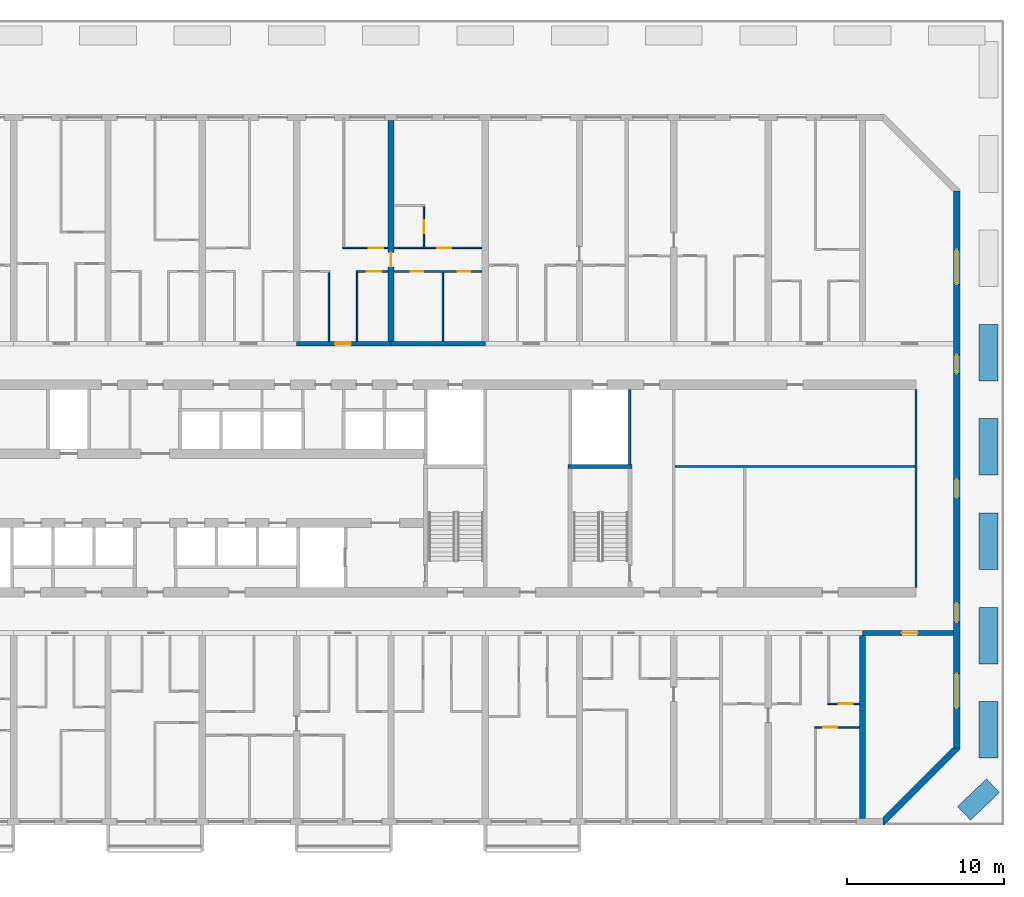
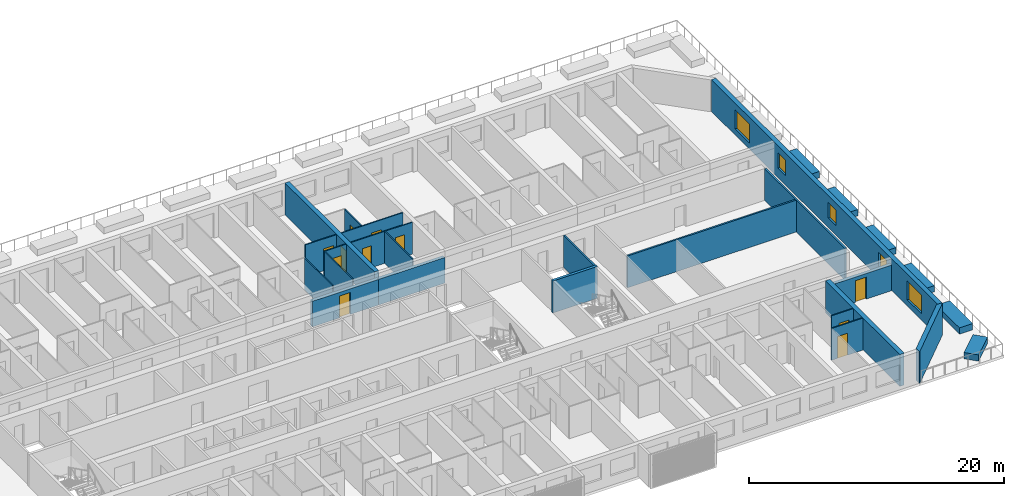
# One storey, part 17 of 23: 27 walls, 11 doors, 5 windows, 16 openings.
"""IFC4 building model written with IfcOpenShell, lengths in metres."""

import ifcopenshell
import ifcopenshell.guid

model = None  # the IFC model being written
_history = None  # IfcOwnerHistory: only IFC2X3 demands one
_inside = {}  # id of a spatial element -> (the spatial element, [elements in it])
_under = {}  # id of a project, library or spatial element -> (it, [spatial elements below it])
_declared = {}  # id of a project -> (the project, [libraries it declares])
_typed = {}  # id of a type object -> (the type object, [elements of that type])
_made_of = {}  # id of a material, layer set ... -> (it, [elements and type objects made of it])


def new_model(schema):
    """Start an empty IFC model of exactly this schema.

    Asked for "IFC4X3", IfcOpenShell would pick the latest addendum, in which some entities
    have other attributes; the version numbers below select the first issue.
    IFC2X3 requires an IfcOwnerHistory on every rooted entity: one is made here for all.
    """
    global model, _history
    if schema == "IFC4X3":
        model = ifcopenshell.file(schema_version=(4, 3, 0, 0))
    else:
        model = ifcopenshell.file(schema=schema)
    _inside.clear()
    _under.clear()
    _declared.clear()
    _typed.clear()
    _made_of.clear()
    _history = None
    if model.schema == "IFC2X3":
        org = make("IfcOrganization", Name="unknown")
        user = make(
            "IfcPersonAndOrganization",
            ThePerson=make("IfcPerson", FamilyName="unknown"),
            TheOrganization=org,
        )
        app = make(
            "IfcApplication",
            ApplicationDeveloper=org,
            Version="unknown",
            ApplicationFullName="unknown",
            ApplicationIdentifier="unknown",
        )
        _history = make(
            "IfcOwnerHistory",
            OwningUser=user,
            OwningApplication=app,
            ChangeAction="ADDED",
            CreationDate=0,
        )
    return model


def make(cls, **values):
    """One entity of the class cls with the attributes given. An attribute that is None is left unset."""
    return model.create_entity(
        cls, **{name: value for name, value in values.items() if value is not None}
    )


def rooted(cls, **values):
    """An entity with a GlobalId (a new one), such as an element, a storey or a relation."""
    return make(cls, GlobalId=ifcopenshell.guid.new(), OwnerHistory=_history, **values)


def si_unit(unit_type, name, prefix=None):
    """IfcSIUnit, for example si_unit("LENGTHUNIT", "METRE", prefix="MILLI")."""
    return make("IfcSIUnit", UnitType=unit_type, Prefix=prefix, Name=name)


def assignment(units):
    """IfcUnitAssignment: the units of a project."""
    return None if units is None else make("IfcUnitAssignment", Units=units)


def point(xyz):
    """IfcCartesianPoint."""
    return None if xyz is None else make("IfcCartesianPoint", Coordinates=xyz)


def direction(xyz):
    """IfcDirection."""
    return None if xyz is None else make("IfcDirection", DirectionRatios=xyz)


def frame(location, z_axis=None, x_axis=None):
    """IfcAxis2Placement3D, a coordinate frame: its origin and axes. An axis left out is left unset."""
    return make(
        "IfcAxis2Placement3D",
        Location=point(location),
        Axis=direction(z_axis),
        RefDirection=direction(x_axis),
    )


def frame_2d(location, x_axis=None):
    """IfcAxis2Placement2D, a coordinate frame in the plane: its origin and x axis."""
    return make(
        "IfcAxis2Placement2D", Location=point(location), RefDirection=direction(x_axis)
    )


def origin():
    """The frame at (0, 0, 0) with its axes left unset."""
    return frame((0.0, 0.0, 0.0))


def place(relative_to, where):
    """IfcLocalPlacement: puts the frame where relative to a parent placement (None: the world)."""
    return make(
        "IfcLocalPlacement", PlacementRelTo=relative_to, RelativePlacement=where
    )


def context(
    kind, dimensions, precision=None, world=None, true_north=None, identifier=None
):
    """IfcGeometricRepresentationContext, for example the 3D "Model" context."""
    return make(
        "IfcGeometricRepresentationContext",
        ContextIdentifier=identifier,
        ContextType=kind,
        CoordinateSpaceDimension=dimensions,
        Precision=precision,
        WorldCoordinateSystem=world,
        TrueNorth=true_north,
    )


def subcontext(parent, identifier, kind, view, scale=None):
    """IfcGeometricRepresentationSubContext, for example "Body" below "Model"."""
    return make(
        "IfcGeometricRepresentationSubContext",
        ContextIdentifier=identifier,
        ContextType=kind,
        ParentContext=parent,
        TargetScale=scale,
        TargetView=view,
    )


def project(units=None, contexts=None):
    """IfcProject with its units and contexts."""
    return rooted(
        "IfcProject",
        Name="project",
        RepresentationContexts=contexts,
        UnitsInContext=assignment(units),
    )


def spatial(cls, under=None, at=None, **own):
    """A site, building, storey or space (cls), placed at a placement, below another one or the project."""
    s = rooted(cls, ObjectPlacement=at, **own)
    if under is not None:
        _under.setdefault(under.id(), (under, []))[1].append(s)
    return s


def polyline(points):
    """IfcPolyline through the points."""
    return make("IfcPolyline", Points=[point(p) for p in points])


def profile(cls, at=None, kind="AREA", **sizes):
    """A parametric profile (cls). Its sizes go by their IFC names, for example OverallWidth=200.0."""
    return make(cls, ProfileType=kind, Position=at, **sizes)


def rectangle(**sizes):
    """IfcRectangleProfileDef."""
    return profile("IfcRectangleProfileDef", **sizes)


def outline(outer, holes=None, kind="AREA"):
    """IfcArbitraryClosedProfileDef: a profile drawn as a closed curve; with holes, ...WithVoids."""
    if holes is None:
        return make("IfcArbitraryClosedProfileDef", ProfileType=kind, OuterCurve=outer)
    return make(
        "IfcArbitraryProfileDefWithVoids",
        ProfileType=kind,
        OuterCurve=outer,
        InnerCurves=holes,
    )


def extrude(swept, where, along, depth):
    """IfcExtrudedAreaSolid: the profile swept, set in the frame where, extruded along a direction by depth."""
    return make(
        "IfcExtrudedAreaSolid",
        SweptArea=swept,
        Position=where,
        ExtrudedDirection=direction(along),
        Depth=depth,
    )


def shape(context_of_items, identifier, shape_type, items):
    """IfcShapeRepresentation: the items that make up one representation, for example the "Body"."""
    return make(
        "IfcShapeRepresentation",
        ContextOfItems=context_of_items,
        RepresentationIdentifier=identifier,
        RepresentationType=shape_type,
        Items=items,
    )


def source(mapping_origin, context_of_items, identifier, shape_type, items):
    """IfcRepresentationMap: a shape defined once, which mapped items show again and again."""
    return make(
        "IfcRepresentationMap",
        MappingOrigin=mapping_origin,
        MappedRepresentation=shape(context_of_items, identifier, shape_type, items),
    )


def transform(
    local_origin,
    x_axis=None,
    y_axis=None,
    z_axis=None,
    scale=None,
    scale2=None,
    scale3=None,
    uniform=True,
):
    """IfcCartesianTransformationOperator3D, or its non-uniform kind. x_axis, y_axis, z_axis: its Axis1, 2, 3."""
    if uniform:
        return make(
            "IfcCartesianTransformationOperator3D",
            Axis1=direction(x_axis),
            Axis2=direction(y_axis),
            LocalOrigin=point(local_origin),
            Scale=scale,
            Axis3=direction(z_axis),
        )
    return make(
        "IfcCartesianTransformationOperator3DnonUniform",
        Axis1=direction(x_axis),
        Axis2=direction(y_axis),
        LocalOrigin=point(local_origin),
        Scale=scale,
        Axis3=direction(z_axis),
        Scale2=scale2,
        Scale3=scale3,
    )


def mapped(mapping_source, mapping_target):
    """IfcMappedItem: shows the shape of a source again, moved by a transform."""
    return make(
        "IfcMappedItem", MappingSource=mapping_source, MappingTarget=mapping_target
    )


def material(Name=None, Category=None):
    """IfcMaterial."""
    return make("IfcMaterial", Name=Name, Category=Category)


def layer(
    of_material, thickness, ventilated=None, Name=None, Category=None, Priority=None
):
    """IfcMaterialLayer: one layer of a wall or slab, of a material (None: an air gap)."""
    return make(
        "IfcMaterialLayer",
        Material=of_material,
        LayerThickness=thickness,
        IsVentilated=ventilated,
        Name=Name,
        Category=Category,
        Priority=Priority,
    )


def layer_set(layers, Name=None):
    """IfcMaterialLayerSet."""
    return make("IfcMaterialLayerSet", MaterialLayers=layers, LayerSetName=Name)


def made_of(thing, what):
    """Note that an element or type object is made of a material, layer set ...; save() writes the relation."""
    if what is not None:
        _made_of.setdefault(what.id(), (what, []))[1].append(thing)
    return thing


def type_object(cls, material=None, **own):
    """A type object (cls), such as IfcWallType, which elements share."""
    return made_of(rooted(cls, **own), material)


def element(
    cls,
    number,
    at=None,
    inside=None,
    cuts=None,
    type_object=None,
    material=None,
    context=None,
    identifier="Body",
    shape_type=None,
    held_by="IfcProductDefinitionShape",
    body=None,
    shapes=None,
    **own,
):
    """One element of the class cls, such as IfcWall. Its Tag is "e" and its number.

    at: its placement. inside: the storey or other place that contains it. cuts: it is an
    opening in that element (IfcRelVoidsElement). A single representation is given by context,
    identifier, shape_type and body (its items); several are given by shapes. held_by: the class
    of the entity that holds the representations. save() writes the other relations.
    """
    e = rooted(cls, Tag="e%d" % number, ObjectPlacement=at, **own)
    if body is not None:
        shapes = [shape(context, identifier, shape_type, body)]
    if shapes is not None:
        e.Representation = make(held_by, Representations=shapes)
    if inside is not None:
        _inside.setdefault(inside.id(), (inside, []))[1].append(e)
    if cuts is not None:
        rooted(
            "IfcRelVoidsElement", RelatingBuildingElement=cuts, RelatedOpeningElement=e
        )
    if type_object is not None:
        _typed.setdefault(type_object.id(), (type_object, []))[1].append(e)
    return made_of(e, material)


def fill(opening, filler):
    """IfcRelFillsElement: the door or window that sits in an opening."""
    return rooted(
        "IfcRelFillsElement",
        RelatingOpeningElement=opening,
        RelatedBuildingElement=filler,
    )


def aggregate(whole, parts):
    """IfcRelAggregates: a whole, such as a stair, and the parts it consists of."""
    return rooted("IfcRelAggregates", RelatingObject=whole, RelatedObjects=parts)


def save(model, path):
    """Write the relations noted so far, then the file.

    IfcRelAggregates (storeys below a building ...), IfcRelContainedInSpatialStructure (elements
    in a storey), IfcRelDefinesByType, IfcRelAssociatesMaterial and IfcRelDeclares: one each for
    every whole, place, type object, material and project.
    """
    for whole, parts in _under.values():
        aggregate(whole, parts)
    for where, things in _inside.values():
        rooted(
            "IfcRelContainedInSpatialStructure",
            RelatedElements=things,
            RelatingStructure=where,
        )
    for kind, things in _typed.values():
        rooted("IfcRelDefinesByType", RelatedObjects=things, RelatingType=kind)
    for what, things in _made_of.values():
        rooted("IfcRelAssociatesMaterial", RelatedObjects=things, RelatingMaterial=what)
    for by, libraries in _declared.values():
        rooted("IfcRelDeclares", RelatingContext=by, RelatedDefinitions=libraries)
    model.write(path)


model = new_model("IFC4")

# Units and contexts
model_context = context("Model", 3, precision=1e-05, world=origin(), true_north=direction((0.0, 1.0)))
body_context = subcontext(model_context, "Body", "Model", "MODEL_VIEW")
ifc_project = project(units=[si_unit("LENGTHUNIT", "METRE"), si_unit("AREAUNIT", "SQUARE_METRE"), si_unit("VOLUMEUNIT", "CUBIC_METRE"), si_unit("PLANEANGLEUNIT", "RADIAN"), si_unit("MASSUNIT", "GRAM", prefix="KILO")], contexts=[model_context])

# Site, building, storey
site_placement = place(None, origin())
site = spatial("IfcSite", under=ifc_project, at=site_placement, CompositionType="ELEMENT")
building_placement = place(site_placement, origin())
building = spatial("IfcBuilding", under=site, at=building_placement, Name="Poui Terraces", CompositionType="ELEMENT")
storey_placement = place(building_placement, frame((0.0, 0.0, 23.39990234375)))
storey = spatial("IfcBuildingStorey", under=building, at=storey_placement, Name="L05", CompositionType="ELEMENT", Elevation=23.39990234375)

# Wall
ifc_material_1 = material(Name="Fire-rated plasterboard wall")
ifc_layer_1 = layer(ifc_material_1, 0.14990234375)
ifc_layer_set_1 = layer_set([ifc_layer_1], Name="Fire-rated plasterboard wall")
wall_type_1 = type_object("IfcWallType", Name="CORRIDOR WALL 150", PredefinedType="PARTITIONING", material=ifc_layer_set_1)
wall_1_placement = place(storey_placement, frame((99.39990234375, 14.909912109375, 0.0), z_axis=(0.0, 0.0, 1.0), x_axis=(0.0, 1.0, 0.0)))
element("IfcWall", 1, at=wall_1_placement, inside=storey, type_object=wall_type_1, Name="CORRIDOR WALL 150", PredefinedType="PARTITIONING", context=body_context, shape_type="SweptSolid", body=[
    extrude(rectangle(XDim=12.580078125, YDim=0.14990234375, at=frame_2d((6.2900390625, 0.0))), origin(), (0.0, 0.0, 1.0), 3.050048828125),
])

# Wall, opening, door
ifc_material_2 = material(Name="Concrete 80 MPa", Category="concrete")
ifc_layer_2 = layer(ifc_material_2, 0.300048828125)
ifc_layer_set_2 = layer_set([ifc_layer_2], Name="Concrete 80 MPa")
wall_type_2 = type_object("IfcWallType", Name="CORRIDOR WALL 300 80MPa", PredefinedType="SHEAR", material=ifc_layer_set_2)
wall_2_placement = place(storey_placement, frame((96.0, 12.0, 0.0), z_axis=(0.0, 0.0, 1.0), x_axis=(1.0, 0.0, 0.0)))
wall_2 = element("IfcWall", 2, at=wall_2_placement, inside=storey, type_object=wall_type_2, Name="CORRIDOR WALL LINE B BAY 17", PredefinedType="SHEAR", context=body_context, shape_type="SweptSolid", body=[
    extrude(rectangle(XDim=5.800048828125, YDim=0.300048828125, at=frame_2d((2.89990234375, 0.0))), origin(), (0.0, 0.0, 1.0), 2.4501953125),
])
opening_1_placement = place(wall_2_placement, frame((2.5, 0.0, 0.0)))
opening_1 = element("IfcOpeningElement", 3, at=opening_1_placement, cuts=wall_2, Name="Opening D100", PredefinedType="OPENING", context=body_context, shape_type="SweptSolid", body=[
    extrude(rectangle(XDim=1.0, YDim=2.10009765625, at=frame_2d((0.5, 1.050048828125))), frame((0.0, 0.16015625, 0.0), z_axis=(0.0, -1.0, 0.0), x_axis=(1.0, 0.0, 0.0)), (0.0, 0.0, 1.0), 0.320068359375),
])
ifc_material_3 = material(Name="Solid core timber door", Category="wood")
door_type_1 = type_object("IfcDoorType", Name="ACCESSIBLE INTERNAL DOOR 1000 X 2100", OperationType="NOTDEFINED", PredefinedType="DOOR", material=ifc_material_3)
door_1_placement = place(opening_1_placement, frame((1.0, 0.0, 0.0), z_axis=(0.0, 0.0, 1.0), x_axis=(-1.0, 0.0, 0.0)))
door_1 = element("IfcDoor", 4, at=door_1_placement, inside=storey, type_object=door_type_1, Name="ACCESSIBLE INTERNAL DOOR 151", OperationType="SINGLE_SWING_RIGHT", OverallHeight=2.10009765625, OverallWidth=1.0, PredefinedType="DOOR", context=body_context, shape_type="SweptSolid", body=[
    extrude(rectangle(XDim=1.0, YDim=2.10009765625, at=frame_2d((0.5, 1.050048828125))), frame((0.0, 0.02490234375, 0.0), z_axis=(0.0, -1.0, 0.0), x_axis=(1.0, 0.0, 0.0)), (0.0, 0.0, 1.0), 0.050048828125),
])
fill(opening_1, door_1)

wall_3_placement = place(storey_placement, frame((60.0, 30.39990234375, 0.0), z_axis=(0.0, 0.0, 1.0), x_axis=(1.0, 0.0, 0.0)))
wall_3 = element("IfcWall", 5, at=wall_3_placement, inside=storey, type_object=wall_type_2, Name="CORRIDOR WALL LINE E BAY 11", PredefinedType="SHEAR", context=body_context, shape_type="SweptSolid", body=[
    extrude(rectangle(XDim=6.0, YDim=0.300048828125, at=frame_2d((3.0, 0.0))), origin(), (0.0, 0.0, 1.0), 2.4501953125),
])
opening_2_placement = place(wall_3_placement, frame((2.449951171875, 0.0, 0.0)))
opening_2 = element("IfcOpeningElement", 6, at=opening_2_placement, cuts=wall_3, Name="Opening FD30S", PredefinedType="OPENING", context=body_context, shape_type="SweptSolid", body=[
    extrude(rectangle(XDim=1.0, YDim=2.10009765625, at=frame_2d((0.5, 1.050048828125))), frame((0.0, 0.16015625, 0.0), z_axis=(0.0, -1.0, 0.0), x_axis=(1.0, 0.0, 0.0)), (0.0, 0.0, 1.0), 0.320068359375),
])
ifc_material_4 = material(Name="Steel fire door", Category="steel")
door_type_2 = type_object("IfcDoorType", Name="FLAT ENTRANCE DOOR 1000 X 2100", OperationType="NOTDEFINED", PredefinedType="DOOR", material=ifc_material_4)
door_2_placement = place(opening_2_placement, origin())
door_2 = element("IfcDoor", 7, at=door_2_placement, inside=storey, type_object=door_type_2, Name="FLAT ENTRANCE DOOR 072", OperationType="SINGLE_SWING_LEFT", OverallHeight=2.10009765625, OverallWidth=1.0, PredefinedType="DOOR", context=body_context, shape_type="SweptSolid", body=[
    extrude(rectangle(XDim=1.0, YDim=2.10009765625, at=frame_2d((0.5, 1.050048828125))), frame((0.0, 0.02490234375, 0.0), z_axis=(0.0, -1.0, 0.0), x_axis=(1.0, 0.0, 0.0)), (0.0, 0.0, 1.0), 0.050048828125),
])
fill(opening_2, door_2)

# Wall
wall_4_placement = place(storey_placement, frame((66.0, 30.39990234375, 0.0), z_axis=(0.0, 0.0, 1.0), x_axis=(1.0, 0.0, 0.0)))
element("IfcWall", 8, at=wall_4_placement, inside=storey, type_object=wall_type_2, Name="CORRIDOR WALL LINE E BAY 12", PredefinedType="SHEAR", context=body_context, shape_type="SweptSolid", body=[
    extrude(rectangle(XDim=6.0, YDim=0.300048828125, at=frame_2d((3.0, 0.0))), origin(), (0.0, 0.0, 1.0), 2.4501953125),
])

# Wall, opening, door
ifc_layer_3 = layer(ifc_material_2, 0.39990234375)
ifc_layer_set_3 = layer_set([ifc_layer_3], Name="Concrete 80 MPa")
wall_type_3 = type_object("IfcWallType", Name="CROSS WALL 400 80MPa", PredefinedType="SHEAR", material=ifc_layer_set_3)
wall_5_placement = place(storey_placement, frame((66.0, 30.550048828125, 0.0), z_axis=(0.0, 0.0, 1.0), x_axis=(0.0, 1.0, 0.0)))
wall_5 = element("IfcWall", 9, at=wall_5_placement, inside=storey, type_object=wall_type_3, Name="CROSS WALL LINE 12 NORTH", PredefinedType="SHEAR", context=body_context, shape_type="SweptSolid", body=[
    extrude(rectangle(XDim=14.050048828125, YDim=0.39990234375, at=frame_2d((7.02490234375, 0.0))), origin(), (0.0, 0.0, 1.0), 3.050048828125),
])
opening_3_placement = place(wall_5_placement, frame((4.75, 0.0, 0.0)))
opening_3 = element("IfcOpeningElement", 10, at=opening_3_placement, cuts=wall_5, Name="Opening D90", PredefinedType="OPENING", context=body_context, shape_type="SweptSolid", body=[
    extrude(rectangle(XDim=0.89990234375, YDim=2.10009765625, at=frame_2d((0.449951171875, 1.050048828125))), frame((0.0, 0.2099609375, 0.0), z_axis=(0.0, -1.0, 0.0), x_axis=(1.0, 0.0, 0.0)), (0.0, 0.0, 1.0), 0.419921875),
])
door_type_3 = type_object("IfcDoorType", Name="INTERNAL DOOR 900 X 2100", OperationType="NOTDEFINED", PredefinedType="DOOR", material=ifc_material_3)
door_3_placement = place(opening_3_placement, origin())
door_3 = element("IfcDoor", 11, at=door_3_placement, inside=storey, type_object=door_type_3, Name="INTERNAL DOOR 075", OperationType="SINGLE_SWING_LEFT", OverallHeight=2.10009765625, OverallWidth=0.89990234375, PredefinedType="DOOR", context=body_context, shape_type="SweptSolid", body=[
    extrude(rectangle(XDim=0.89990234375, YDim=2.10009765625, at=frame_2d((0.449951171875, 1.050048828125))), frame((0.0, 0.02490234375, 0.0), z_axis=(0.0, -1.0, 0.0), x_axis=(1.0, 0.0, 0.0)), (0.0, 0.0, 1.0), 0.050048828125),
])
fill(opening_3, door_3)

# Wall
wall_6_placement = place(storey_placement, frame((96.0, 0.199951171875, 0.0), z_axis=(0.0, 0.0, 1.0), x_axis=(0.0, 1.0, 0.0)))
element("IfcWall", 12, at=wall_6_placement, inside=storey, type_object=wall_type_3, Name="CROSS WALL LINE 17 SOUTH", PredefinedType="SHEAR", context=body_context, shape_type="SweptSolid", body=[
    extrude(rectangle(XDim=11.650146484375, YDim=0.39990234375, at=frame_2d((5.8251953125, 0.0))), origin(), (0.0, 0.0, 1.0), 3.050048828125),
])

# Wall, openings, windows
ifc_layer_4 = layer(ifc_material_2, 0.39990234375)
ifc_layer_set_4 = layer_set([ifc_layer_4], Name="Concrete 80 MPa")
wall_type_4 = type_object("IfcWallType", Name="END WALL 400 80MPa", PredefinedType="SHEAR", material=ifc_layer_set_4)
wall_7_placement = place(storey_placement, frame((102.0, 4.682861328125, 0.0), z_axis=(0.0, 0.0, 1.0), x_axis=(0.0, 1.0, 0.0)))
wall_7 = element("IfcWall", 13, at=wall_7_placement, inside=storey, type_object=wall_type_4, Name="END WALL EAST", PredefinedType="SHEAR", context=body_context, shape_type="SweptSolid", body=[
    extrude(rectangle(XDim=35.434326171875, YDim=0.39990234375, at=frame_2d((17.71728515625, 0.0))), origin(), (0.0, 0.0, 1.0), 3.050048828125),
])
opening_4_placement = place(wall_7_placement, frame((15.917236328125, 0.0, 0.89990234375)))
opening_4 = element("IfcOpeningElement", 14, at=opening_4_placement, cuts=wall_7, Name="Opening W2", PredefinedType="OPENING", context=body_context, shape_type="SweptSolid", body=[
    extrude(rectangle(XDim=1.199951171875, YDim=1.5, at=frame_2d((0.60009765625, 0.75))), frame((0.0, 0.2099609375, 0.0), z_axis=(0.0, -1.0, 0.0), x_axis=(1.0, 0.0, 0.0)), (0.0, 0.0, 1.0), 0.419921875),
])
opening_5_placement = place(wall_7_placement, frame((23.817138671875, 0.0, 0.89990234375)))
opening_5 = element("IfcOpeningElement", 15, at=opening_5_placement, cuts=wall_7, Name="Opening W2", PredefinedType="OPENING", context=body_context, shape_type="SweptSolid", body=[
    extrude(rectangle(XDim=1.199951171875, YDim=1.5, at=frame_2d((0.60009765625, 0.75))), frame((0.0, 0.2099609375, 0.0), z_axis=(0.0, -1.0, 0.0), x_axis=(1.0, 0.0, 0.0)), (0.0, 0.0, 1.0), 0.419921875),
])
opening_6_placement = place(wall_7_placement, frame((8.01708984375, 0.0, 0.89990234375)))
opening_6 = element("IfcOpeningElement", 16, at=opening_6_placement, cuts=wall_7, Name="Opening W2", PredefinedType="OPENING", context=body_context, shape_type="SweptSolid", body=[
    extrude(rectangle(XDim=1.199951171875, YDim=1.5, at=frame_2d((0.60009765625, 0.75))), frame((0.0, 0.2099609375, 0.0), z_axis=(0.0, -1.0, 0.0), x_axis=(1.0, 0.0, 0.0)), (0.0, 0.0, 1.0), 0.419921875),
])
opening_7_placement = place(wall_7_placement, frame((29.493408203125, 0.0, 0.60009765625)))
opening_7 = element("IfcOpeningElement", 17, at=opening_7_placement, cuts=wall_7, Name="Opening W3", PredefinedType="OPENING", context=body_context, shape_type="SweptSolid", body=[
    extrude(rectangle(XDim=2.199951171875, YDim=1.800048828125, at=frame_2d((1.10009765625, 0.89990234375))), frame((0.0, 0.2099609375, 0.0), z_axis=(0.0, -1.0, 0.0), x_axis=(1.0, 0.0, 0.0)), (0.0, 0.0, 1.0), 0.419921875),
])
opening_8_placement = place(wall_7_placement, frame((2.541015625, 0.0, 0.60009765625)))
opening_8 = element("IfcOpeningElement", 18, at=opening_8_placement, cuts=wall_7, Name="Opening W3", PredefinedType="OPENING", context=body_context, shape_type="SweptSolid", body=[
    extrude(rectangle(XDim=2.199951171875, YDim=1.800048828125, at=frame_2d((1.10009765625, 0.89990234375))), frame((0.0, 0.2099609375, 0.0), z_axis=(0.0, -1.0, 0.0), x_axis=(1.0, 0.0, 0.0)), (0.0, 0.0, 1.0), 0.419921875),
])
ifc_material_5 = material(Name="Clear glass in aluminium frame", Category="aluminium")
window_type_1 = type_object("IfcWindowType", Name="WINDOW 1200X1500", PartitioningType="SINGLE_PANEL", PredefinedType="WINDOW", material=ifc_material_5)
window_1_placement = place(opening_4_placement, origin())
window_1 = element("IfcWindow", 19, at=window_1_placement, inside=storey, type_object=window_type_1, Name="W2 WINDOW", OverallHeight=1.5, OverallWidth=1.199951171875, PartitioningType="SINGLE_PANEL", PredefinedType="WINDOW", context=body_context, shape_type="SweptSolid", body=[
    extrude(rectangle(XDim=1.199951171875, YDim=1.5, at=frame_2d((0.60009765625, 0.75))), frame((0.0, 0.030029296875, 0.0), z_axis=(0.0, -1.0, 0.0), x_axis=(1.0, 0.0, 0.0)), (0.0, 0.0, 1.0), 0.06005859375),
])
fill(opening_4, window_1)
window_2_placement = place(opening_5_placement, origin())
window_2 = element("IfcWindow", 20, at=window_2_placement, inside=storey, type_object=window_type_1, Name="W2 WINDOW", OverallHeight=1.5, OverallWidth=1.199951171875, PartitioningType="SINGLE_PANEL", PredefinedType="WINDOW", context=body_context, shape_type="SweptSolid", body=[
    extrude(rectangle(XDim=1.199951171875, YDim=1.5, at=frame_2d((0.60009765625, 0.75))), frame((0.0, 0.030029296875, 0.0), z_axis=(0.0, -1.0, 0.0), x_axis=(1.0, 0.0, 0.0)), (0.0, 0.0, 1.0), 0.06005859375),
])
fill(opening_5, window_2)
window_3_placement = place(opening_6_placement, origin())
window_3 = element("IfcWindow", 21, at=window_3_placement, inside=storey, type_object=window_type_1, Name="W2 WINDOW", OverallHeight=1.5, OverallWidth=1.199951171875, PartitioningType="SINGLE_PANEL", PredefinedType="WINDOW", context=body_context, shape_type="SweptSolid", body=[
    extrude(rectangle(XDim=1.199951171875, YDim=1.5, at=frame_2d((0.60009765625, 0.75))), frame((0.0, 0.030029296875, 0.0), z_axis=(0.0, -1.0, 0.0), x_axis=(1.0, 0.0, 0.0)), (0.0, 0.0, 1.0), 0.06005859375),
])
fill(opening_6, window_3)
window_type_2 = type_object("IfcWindowType", Name="WINDOW 2200X1800", PartitioningType="DOUBLE_PANEL_HORIZONTAL", PredefinedType="WINDOW", material=ifc_material_5)
window_4_placement = place(opening_7_placement, origin())
window_4 = element("IfcWindow", 22, at=window_4_placement, inside=storey, type_object=window_type_2, Name="W3 WINDOW", OverallHeight=1.800048828125, OverallWidth=2.199951171875, PartitioningType="DOUBLE_PANEL_HORIZONTAL", PredefinedType="WINDOW", context=body_context, shape_type="SweptSolid", body=[
    extrude(rectangle(XDim=2.199951171875, YDim=1.800048828125, at=frame_2d((1.10009765625, 0.89990234375))), frame((0.0, 0.030029296875, 0.0), z_axis=(0.0, -1.0, 0.0), x_axis=(1.0, 0.0, 0.0)), (0.0, 0.0, 1.0), 0.06005859375),
])
fill(opening_7, window_4)
window_5_placement = place(opening_8_placement, origin())
window_5 = element("IfcWindow", 23, at=window_5_placement, inside=storey, type_object=window_type_2, Name="W3 WINDOW", OverallHeight=1.800048828125, OverallWidth=2.199951171875, PartitioningType="DOUBLE_PANEL_HORIZONTAL", PredefinedType="WINDOW", context=body_context, shape_type="SweptSolid", body=[
    extrude(rectangle(XDim=2.199951171875, YDim=1.800048828125, at=frame_2d((1.10009765625, 0.89990234375))), frame((0.0, 0.030029296875, 0.0), z_axis=(0.0, -1.0, 0.0), x_axis=(1.0, 0.0, 0.0)), (0.0, 0.0, 1.0), 0.06005859375),
])
fill(opening_8, window_5)

# Wall, opening, door
ifc_material_6 = material(Name="Plasterboard partition")
ifc_layer_5 = layer(ifc_material_6, 0.10009765625)
ifc_layer_set_5 = layer_set([ifc_layer_5], Name="Plasterboard partition")
wall_type_5 = type_object("IfcWallType", Name="FLAT PARTITION 100", PredefinedType="PARTITIONING", material=ifc_layer_set_5)
wall_8_placement = place(storey_placement, frame((92.949951171875, 6.0, 0.0), z_axis=(0.0, 0.0, 1.0), x_axis=(1.0, 0.0, 0.0)))
wall_8 = element("IfcWall", 24, at=wall_8_placement, inside=storey, type_object=wall_type_5, Name="FLAT PARTITION 100", PredefinedType="PARTITIONING", context=body_context, shape_type="SweptSolid", body=[
    extrude(rectangle(XDim=2.840087890625, YDim=0.10009765625, at=frame_2d((1.419921875, 0.0))), origin(), (0.0, 0.0, 1.0), 3.050048828125),
])
opening_9_placement = place(wall_8_placement, frame((0.550048828125, 0.0, 0.0)))
opening_9 = element("IfcOpeningElement", 25, at=opening_9_placement, cuts=wall_8, Name="Opening D90", PredefinedType="OPENING", context=body_context, shape_type="SweptSolid", body=[
    extrude(rectangle(XDim=0.89990234375, YDim=2.10009765625, at=frame_2d((0.449951171875, 1.050048828125))), frame((0.0, 0.06005859375, 0.0), z_axis=(0.0, -1.0, 0.0), x_axis=(1.0, 0.0, 0.0)), (0.0, 0.0, 1.0), 0.1201171875),
])
door_4_placement = place(opening_9_placement, origin())
door_4 = element("IfcDoor", 26, at=door_4_placement, inside=storey, type_object=door_type_3, Name="INTERNAL DOOR 149", OperationType="SINGLE_SWING_RIGHT", OverallHeight=2.10009765625, OverallWidth=0.89990234375, PredefinedType="DOOR", context=body_context, shape_type="SweptSolid", body=[
    extrude(rectangle(XDim=0.89990234375, YDim=2.10009765625, at=frame_2d((0.449951171875, 1.050048828125))), frame((0.0, 0.02490234375, 0.0), z_axis=(0.0, -1.0, 0.0), x_axis=(1.0, 0.0, 0.0)), (0.0, 0.0, 1.0), 0.050048828125),
])
fill(opening_9, door_4)

wall_9_placement = place(storey_placement, frame((93.800048828125, 7.5, 0.0), z_axis=(0.0, 0.0, 1.0), x_axis=(1.0, 0.0, 0.0)))
wall_9 = element("IfcWall", 27, at=wall_9_placement, inside=storey, type_object=wall_type_5, Name="FLAT PARTITION 100", PredefinedType="PARTITIONING", context=body_context, shape_type="SweptSolid", body=[
    extrude(rectangle(XDim=1.989990234375, YDim=0.10009765625, at=frame_2d((0.9951171875, 0.0))), origin(), (0.0, 0.0, 1.0), 3.050048828125),
])
opening_10_placement = place(wall_9_placement, frame((0.675048828125, 0.0, 0.0)))
opening_10 = element("IfcOpeningElement", 28, at=opening_10_placement, cuts=wall_9, Name="Opening D90", PredefinedType="OPENING", context=body_context, shape_type="SweptSolid", body=[
    extrude(rectangle(XDim=0.89990234375, YDim=2.10009765625, at=frame_2d((0.449951171875, 1.050048828125))), frame((0.0, 0.06005859375, 0.0), z_axis=(0.0, -1.0, 0.0), x_axis=(1.0, 0.0, 0.0)), (0.0, 0.0, 1.0), 0.1201171875),
])
door_5_placement = place(opening_10_placement, origin())
door_5 = element("IfcDoor", 29, at=door_5_placement, inside=storey, type_object=door_type_3, Name="INTERNAL DOOR 150", OperationType="SINGLE_SWING_LEFT", OverallHeight=2.10009765625, OverallWidth=0.89990234375, PredefinedType="DOOR", context=body_context, shape_type="SweptSolid", body=[
    extrude(rectangle(XDim=0.89990234375, YDim=2.10009765625, at=frame_2d((0.449951171875, 1.050048828125))), frame((0.0, 0.02490234375, 0.0), z_axis=(0.0, -1.0, 0.0), x_axis=(1.0, 0.0, 0.0)), (0.0, 0.0, 1.0), 0.050048828125),
])
fill(opening_10, door_5)

wall_10_placement = place(storey_placement, frame((63.800048828125, 35.0, 0.0), z_axis=(0.0, 0.0, 1.0), x_axis=(1.0, 0.0, 0.0)))
wall_10 = element("IfcWall", 30, at=wall_10_placement, inside=storey, type_object=wall_type_5, Name="FLAT PARTITION 100", PredefinedType="PARTITIONING", context=body_context, shape_type="SweptSolid", body=[
    extrude(rectangle(XDim=1.989990234375, YDim=0.10009765625, at=frame_2d((0.9951171875, 0.0))), origin(), (0.0, 0.0, 1.0), 3.050048828125),
])
opening_11_placement = place(wall_10_placement, frame((0.675048828125, 0.0, 0.0)))
opening_11 = element("IfcOpeningElement", 31, at=opening_11_placement, cuts=wall_10, Name="Opening D90", PredefinedType="OPENING", context=body_context, shape_type="SweptSolid", body=[
    extrude(rectangle(XDim=0.89990234375, YDim=2.10009765625, at=frame_2d((0.449951171875, 1.050048828125))), frame((0.0, 0.06005859375, 0.0), z_axis=(0.0, -1.0, 0.0), x_axis=(1.0, 0.0, 0.0)), (0.0, 0.0, 1.0), 0.1201171875),
])
door_6_placement = place(opening_11_placement, frame((0.89990234375, 0.0, 0.0), z_axis=(0.0, 0.0, 1.0), x_axis=(-1.0, 0.0, 0.0)))
door_6 = element("IfcDoor", 32, at=door_6_placement, inside=storey, type_object=door_type_3, Name="INTERNAL DOOR 073", OperationType="SINGLE_SWING_LEFT", OverallHeight=2.10009765625, OverallWidth=0.89990234375, PredefinedType="DOOR", context=body_context, shape_type="SweptSolid", body=[
    extrude(rectangle(XDim=0.89990234375, YDim=2.10009765625, at=frame_2d((0.449951171875, 1.050048828125))), frame((0.0, 0.02490234375, 0.0), z_axis=(0.0, -1.0, 0.0), x_axis=(1.0, 0.0, 0.0)), (0.0, 0.0, 1.0), 0.050048828125),
])
fill(opening_11, door_6)

# Wall, openings, doors
wall_11_placement = place(storey_placement, frame((66.2099609375, 35.0, 0.0), z_axis=(0.0, 0.0, 1.0), x_axis=(1.0, 0.0, 0.0)))
wall_11 = element("IfcWall", 33, at=wall_11_placement, inside=storey, type_object=wall_type_5, Name="FLAT PARTITION 100", PredefinedType="PARTITIONING", context=body_context, shape_type="SweptSolid", body=[
    extrude(rectangle(XDim=5.580078125, YDim=0.10009765625, at=frame_2d((2.7900390625, 0.0))), origin(), (0.0, 0.0, 1.0), 3.050048828125),
])
opening_12_placement = place(wall_11_placement, frame((1.0400390625, 0.0, 0.0)))
opening_12 = element("IfcOpeningElement", 34, at=opening_12_placement, cuts=wall_11, Name="Opening D80", PredefinedType="OPENING", context=body_context, shape_type="SweptSolid", body=[
    extrude(rectangle(XDim=0.800048828125, YDim=2.10009765625, at=frame_2d((0.39990234375, 1.050048828125))), frame((0.0, 0.06005859375, 0.0), z_axis=(0.0, -1.0, 0.0), x_axis=(1.0, 0.0, 0.0)), (0.0, 0.0, 1.0), 0.1201171875),
])
opening_13_placement = place(wall_11_placement, frame((4.0400390625, 0.0, 0.0)))
opening_13 = element("IfcOpeningElement", 35, at=opening_13_placement, cuts=wall_11, Name="Opening D80", PredefinedType="OPENING", context=body_context, shape_type="SweptSolid", body=[
    extrude(rectangle(XDim=0.800048828125, YDim=2.10009765625, at=frame_2d((0.39990234375, 1.050048828125))), frame((0.0, 0.06005859375, 0.0), z_axis=(0.0, -1.0, 0.0), x_axis=(1.0, 0.0, 0.0)), (0.0, 0.0, 1.0), 0.1201171875),
])
door_type_4 = type_object("IfcDoorType", Name="BATHROOM, LAUNDRY AND STORE DOOR 800 X 2100", OperationType="NOTDEFINED", PredefinedType="DOOR", material=ifc_material_3)
door_7_placement = place(opening_12_placement, frame((0.800048828125, 0.0, 0.0), z_axis=(0.0, 0.0, 1.0), x_axis=(-1.0, 0.0, 0.0)))
door_7 = element("IfcDoor", 36, at=door_7_placement, inside=storey, type_object=door_type_4, Name="BATHROOM, LAUNDRY AND STORE DOOR 068", OperationType="SINGLE_SWING_RIGHT", OverallHeight=2.10009765625, OverallWidth=0.800048828125, PredefinedType="DOOR", context=body_context, shape_type="SweptSolid", body=[
    extrude(rectangle(XDim=0.800048828125, YDim=2.10009765625, at=frame_2d((0.39990234375, 1.050048828125))), frame((0.0, 0.02490234375, 0.0), z_axis=(0.0, -1.0, 0.0), x_axis=(1.0, 0.0, 0.0)), (0.0, 0.0, 1.0), 0.050048828125),
])
fill(opening_12, door_7)
door_8_placement = place(opening_13_placement, frame((0.800048828125, 0.0, 0.0), z_axis=(0.0, 0.0, 1.0), x_axis=(-1.0, 0.0, 0.0)))
door_8 = element("IfcDoor", 37, at=door_8_placement, inside=storey, type_object=door_type_4, Name="BATHROOM, LAUNDRY AND STORE DOOR 070", OperationType="SINGLE_SWING_LEFT", OverallHeight=2.10009765625, OverallWidth=0.800048828125, PredefinedType="DOOR", context=body_context, shape_type="SweptSolid", body=[
    extrude(rectangle(XDim=0.800048828125, YDim=2.10009765625, at=frame_2d((0.39990234375, 1.050048828125))), frame((0.0, 0.02490234375, 0.0), z_axis=(0.0, -1.0, 0.0), x_axis=(1.0, 0.0, 0.0)), (0.0, 0.0, 1.0), 0.050048828125),
])
fill(opening_13, door_8)

# Wall, opening, door
wall_12_placement = place(storey_placement, frame((62.949951171875, 36.5, 0.0), z_axis=(0.0, 0.0, 1.0), x_axis=(1.0, 0.0, 0.0)))
wall_12 = element("IfcWall", 38, at=wall_12_placement, inside=storey, type_object=wall_type_5, Name="FLAT PARTITION 100", PredefinedType="PARTITIONING", context=body_context, shape_type="SweptSolid", body=[
    extrude(rectangle(XDim=2.840087890625, YDim=0.10009765625, at=frame_2d((1.419921875, 0.0))), origin(), (0.0, 0.0, 1.0), 3.050048828125),
])
opening_14_placement = place(wall_12_placement, frame((1.64990234375, 0.0, 0.0)))
opening_14 = element("IfcOpeningElement", 39, at=opening_14_placement, cuts=wall_12, Name="Opening D90", PredefinedType="OPENING", context=body_context, shape_type="SweptSolid", body=[
    extrude(rectangle(XDim=0.89990234375, YDim=2.10009765625, at=frame_2d((0.449951171875, 1.050048828125))), frame((0.0, 0.06005859375, 0.0), z_axis=(0.0, -1.0, 0.0), x_axis=(1.0, 0.0, 0.0)), (0.0, 0.0, 1.0), 0.1201171875),
])
door_9_placement = place(opening_14_placement, frame((0.89990234375, 0.0, 0.0), z_axis=(0.0, 0.0, 1.0), x_axis=(-1.0, 0.0, 0.0)))
door_9 = element("IfcDoor", 40, at=door_9_placement, inside=storey, type_object=door_type_3, Name="INTERNAL DOOR 074", OperationType="SINGLE_SWING_RIGHT", OverallHeight=2.10009765625, OverallWidth=0.89990234375, PredefinedType="DOOR", context=body_context, shape_type="SweptSolid", body=[
    extrude(rectangle(XDim=0.89990234375, YDim=2.10009765625, at=frame_2d((0.449951171875, 1.050048828125))), frame((0.0, 0.02490234375, 0.0), z_axis=(0.0, -1.0, 0.0), x_axis=(1.0, 0.0, 0.0)), (0.0, 0.0, 1.0), 0.050048828125),
])
fill(opening_14, door_9)

wall_13_placement = place(storey_placement, frame((66.2099609375, 36.5, 0.0), z_axis=(0.0, 0.0, 1.0), x_axis=(1.0, 0.0, 0.0)))
wall_13 = element("IfcWall", 41, at=wall_13_placement, inside=storey, type_object=wall_type_5, Name="FLAT PARTITION 100", PredefinedType="PARTITIONING", context=body_context, shape_type="SweptSolid", body=[
    extrude(rectangle(XDim=5.580078125, YDim=0.10009765625, at=frame_2d((2.7900390625, 0.0))), origin(), (0.0, 0.0, 1.0), 3.050048828125),
])
opening_15_placement = place(wall_13_placement, frame((2.739990234375, 0.0, 0.0)))
opening_15 = element("IfcOpeningElement", 42, at=opening_15_placement, cuts=wall_13, Name="Opening D90", PredefinedType="OPENING", context=body_context, shape_type="SweptSolid", body=[
    extrude(rectangle(XDim=0.89990234375, YDim=2.10009765625, at=frame_2d((0.449951171875, 1.050048828125))), frame((0.0, 0.06005859375, 0.0), z_axis=(0.0, -1.0, 0.0), x_axis=(1.0, 0.0, 0.0)), (0.0, 0.0, 1.0), 0.1201171875),
])
door_10_placement = place(opening_15_placement, origin())
door_10 = element("IfcDoor", 43, at=door_10_placement, inside=storey, type_object=door_type_3, Name="INTERNAL DOOR 069", OperationType="SINGLE_SWING_RIGHT", OverallHeight=2.10009765625, OverallWidth=0.89990234375, PredefinedType="DOOR", context=body_context, shape_type="SweptSolid", body=[
    extrude(rectangle(XDim=0.89990234375, YDim=2.10009765625, at=frame_2d((0.449951171875, 1.050048828125))), frame((0.0, 0.02490234375, 0.0), z_axis=(0.0, -1.0, 0.0), x_axis=(1.0, 0.0, 0.0)), (0.0, 0.0, 1.0), 0.050048828125),
])
fill(opening_15, door_10)

# Walls
for number, where, z_axis, x_axis, name in (
    (44, (62.050048828125, 30.56005859375, 0.0), (0.0, 0.0, 1.0), (0.0, 1.0, 0.0), "FLAT PARTITION 100"),
    (45, (63.85009765625, 30.56005859375, 0.0), (0.0, 0.0, 1.0), (0.0, 1.0, 0.0), "FLAT PARTITION 100"),
):
    element("IfcWall", number, at=place(storey_placement, frame(where, z_axis=z_axis, x_axis=x_axis)), inside=storey, type_object=wall_type_5, Name=name, PredefinedType="PARTITIONING", context=body_context, shape_type="SweptSolid", body=[
        extrude(rectangle(XDim=4.389892578125, YDim=0.10009765625, at=frame_2d((2.19482421875, 0.0))), origin(), (0.0, 0.0, 1.0), 3.050048828125),
    ])

# Wall, opening, door
wall_14_placement = place(storey_placement, frame((68.10009765625, 36.550048828125, 0.0), z_axis=(0.0, 0.0, 1.0), x_axis=(0.0, 1.0, 0.0)))
wall_14 = element("IfcWall", 46, at=wall_14_placement, inside=storey, type_object=wall_type_5, Name="FLAT PARTITION 100", PredefinedType="PARTITIONING", context=body_context, shape_type="SweptSolid", body=[
    extrude(rectangle(XDim=2.599853515625, YDim=0.10009765625, at=frame_2d((1.2998046875, 0.0))), origin(), (0.0, 0.0, 1.0), 3.050048828125),
])
opening_16_placement = place(wall_14_placement, frame((0.89990234375, 0.0, 0.0)))
opening_16 = element("IfcOpeningElement", 47, at=opening_16_placement, cuts=wall_14, Name="Opening D80", PredefinedType="OPENING", context=body_context, shape_type="SweptSolid", body=[
    extrude(rectangle(XDim=0.800048828125, YDim=2.10009765625, at=frame_2d((0.39990234375, 1.050048828125))), frame((0.0, 0.06005859375, 0.0), z_axis=(0.0, -1.0, 0.0), x_axis=(1.0, 0.0, 0.0)), (0.0, 0.0, 1.0), 0.1201171875),
])
door_11_placement = place(opening_16_placement, origin())
door_11 = element("IfcDoor", 48, at=door_11_placement, inside=storey, type_object=door_type_4, Name="BATHROOM, LAUNDRY AND STORE DOOR 076", OperationType="SINGLE_SWING_LEFT", OverallHeight=2.10009765625, OverallWidth=0.800048828125, PredefinedType="DOOR", context=body_context, shape_type="SweptSolid", body=[
    extrude(rectangle(XDim=0.800048828125, YDim=2.10009765625, at=frame_2d((0.39990234375, 1.050048828125))), frame((0.0, 0.02490234375, 0.0), z_axis=(0.0, -1.0, 0.0), x_axis=(1.0, 0.0, 0.0)), (0.0, 0.0, 1.0), 0.050048828125),
])
fill(opening_16, door_11)

# Walls
wall_15_placement = place(storey_placement, frame((69.300048828125, 30.56005859375, 0.0), z_axis=(0.0, 0.0, 1.0), x_axis=(0.0, 1.0, 0.0)))
element("IfcWall", 49, at=wall_15_placement, inside=storey, type_object=wall_type_5, Name="FLAT PARTITION 100", PredefinedType="PARTITIONING", context=body_context, shape_type="SweptSolid", body=[
    extrude(rectangle(XDim=4.389892578125, YDim=0.10009765625, at=frame_2d((2.19482421875, 0.0))), origin(), (0.0, 0.0, 1.0), 3.050048828125),
])
ifc_layer_6 = layer(ifc_material_6, 0.14990234375)
ifc_layer_set_6 = layer_set([ifc_layer_6], Name="Plasterboard partition")
wall_type_6 = type_object("IfcWallType", Name="PARTITION WALL 150", PredefinedType="PARTITIONING", material=ifc_layer_set_6)
wall_16_placement = place(storey_placement, frame((84.074951171875, 22.60009765625, 0.0), z_axis=(0.0, 0.0, 1.0), x_axis=(1.0, 0.0, 0.0)))
element("IfcWall", 50, at=wall_16_placement, inside=storey, type_object=wall_type_6, Name="PARTITION WALL 150", PredefinedType="PARTITIONING", context=body_context, shape_type="SweptSolid", body=[
    extrude(rectangle(XDim=15.25, YDim=0.14990234375, at=frame_2d((7.625, 0.0))), origin(), (0.0, 0.0, 1.0), 3.050048828125),
])
ifc_material_7 = material(Name="Fire-rated plasterboard riser wall")
ifc_layer_7 = layer(ifc_material_7, 0.14990234375)
ifc_layer_set_7 = layer_set([ifc_layer_7], Name="Fire-rated plasterboard riser wall")
wall_type_7 = type_object("IfcWallType", Name="RISER WALL 150", PredefinedType="PARTITIONING", material=ifc_layer_set_7)
wall_17_placement = place(storey_placement, frame((81.199951171875, 22.735107421875, 0.0), z_axis=(0.0, 0.0, 1.0), x_axis=(0.0, 1.0, 0.0)))
element("IfcWall", 51, at=wall_17_placement, inside=storey, type_object=wall_type_7, Name="RISER WALL 150", PredefinedType="PARTITIONING", context=body_context, shape_type="SweptSolid", body=[
    extrude(rectangle(XDim=4.7548828125, YDim=0.14990234375, at=frame_2d((2.37744140625, 0.0))), origin(), (0.0, 0.0, 1.0), 3.050048828125),
])
ifc_layer_8 = layer(ifc_material_2, 0.25)
ifc_layer_set_8 = layer_set([ifc_layer_8], Name="Concrete 80 MPa")
wall_type_8 = type_object("IfcWallType", Name="STAIR CORE WALL 250 80 MPA", PredefinedType="SOLIDWALL", material=ifc_layer_set_8)
wall_18_placement = place(storey_placement, frame((77.27490234375, 22.60009765625, 0.0), z_axis=(0.0, 0.0, 1.0), x_axis=(1.0, 0.0, 0.0)))
element("IfcWall", 52, at=wall_18_placement, inside=storey, type_object=wall_type_8, Name="STAIR CORE WALL", PredefinedType="SOLIDWALL", context=body_context, shape_type="SweptSolid", body=[
    extrude(rectangle(XDim=4.050048828125, YDim=0.25, at=frame_2d((2.02490234375, 0.0))), origin(), (0.0, 0.0, 1.0), 3.050048828125),
])
ifc_material_8 = material(Name="Precast concrete 40 MPa", Category="concrete")
ifc_layer_9 = layer(ifc_material_8, 0.39990234375)
ifc_layer_set_9 = layer_set([ifc_layer_9], Name="Precast concrete 40 MPa")
wall_type_9 = type_object("IfcWallType", Name="TERRACOTTA CLAD CHAMFER WALL 400", PredefinedType="STANDARD", material=ifc_layer_set_9)
wall_19_placement = place(storey_placement, origin())
element("IfcWall", 53, at=wall_19_placement, inside=storey, type_object=wall_type_9, Name="CHAMFER WALL CH01", PredefinedType="STANDARD", context=body_context, shape_type="SweptSolid", body=[
    extrude(outline(polyline([(97.317138671875, -0.199951171875), (97.39990234375, -0.199951171875), (102.199951171875, 4.60009765625), (102.199951171875, 4.682861328125), (101.71728515625, 4.682861328125), (97.317138671875, 0.28271484375), (97.317138671875, -0.199951171875)])), origin(), (0.0, 0.0, 1.0), 3.050048828125),
])
ifc_layer_10 = layer(ifc_material_8, 1.199951171875)
ifc_layer_set_10 = layer_set([ifc_layer_10], Name="Precast concrete 40 MPa")
wall_type_10 = type_object("IfcWallType", Name="PLANTER 600", PredefinedType="USERDEFINED", material=ifc_layer_set_10)
shared_shape_1 = source(origin(), body_context, "Body", "SweptSolid", [
    extrude(outline(polyline([(0.0, 0.0), (1.2001953125, 0.0), (1.2001953125, 3.599853515625), (0.0, 3.599853515625), (0.0, 0.0)])), origin(), (0.0, 0.0, 1.0), 0.60009765625),
])
for number, where, name in (
    (54, (103.419921875, 28.0400390625, 0.0), "PLANTER"),
    (55, (103.419921875, 22.0400390625, 0.0), "PLANTER"),
    (56, (103.419921875, 16.0400390625, 0.0), "PLANTER"),
    (57, (103.419921875, 10.0400390625, 0.0), "PLANTER"),
    (58, (103.419921875, 4.0400390625, 0.0), "PLANTER"),
):
    element("IfcWall", number, at=place(storey_placement, frame(where)), inside=storey, type_object=wall_type_10, Name=name, ObjectType="PLANTER", PredefinedType="USERDEFINED", context=body_context, shape_type="MappedRepresentation", body=[
        mapped(shared_shape_1, transform((0.0, 0.0, 0.0))),
    ])
shared_shape_2 = source(origin(), body_context, "Body", "SweptSolid", [
    extrude(outline(polyline([(0.0, 0.0), (0.829345703125, -0.867431640625), (2.66943359375, 0.892578125), (1.840087890625, 1.760009765625), (0.0, 0.0)])), origin(), (0.0, 0.0, 1.0), 0.60009765625),
])
wall_20_placement = place(storey_placement, frame((102.043212890625, 0.964111328125, 0.0)))
element("IfcWall", 59, at=wall_20_placement, inside=storey, type_object=wall_type_10, Name="PLANTER", ObjectType="PLANTER", PredefinedType="USERDEFINED", context=body_context, shape_type="MappedRepresentation", body=[
    mapped(shared_shape_2, transform((0.0, 0.0, 0.0))),
])

save(model, "model.ifc")
